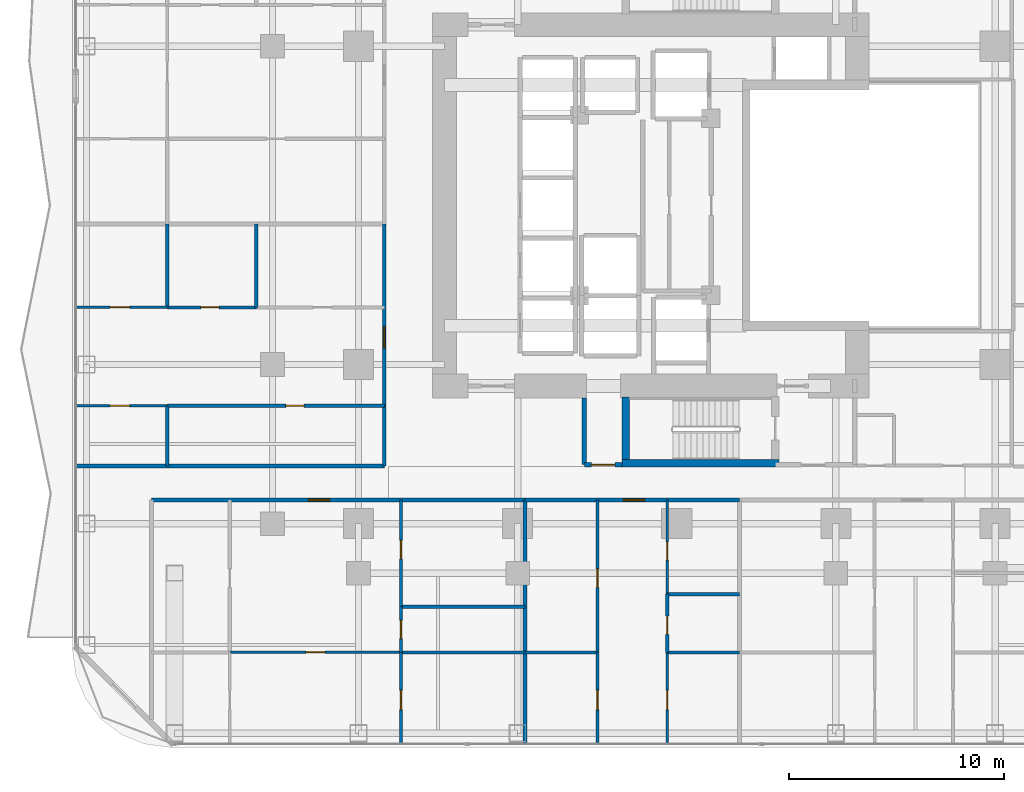
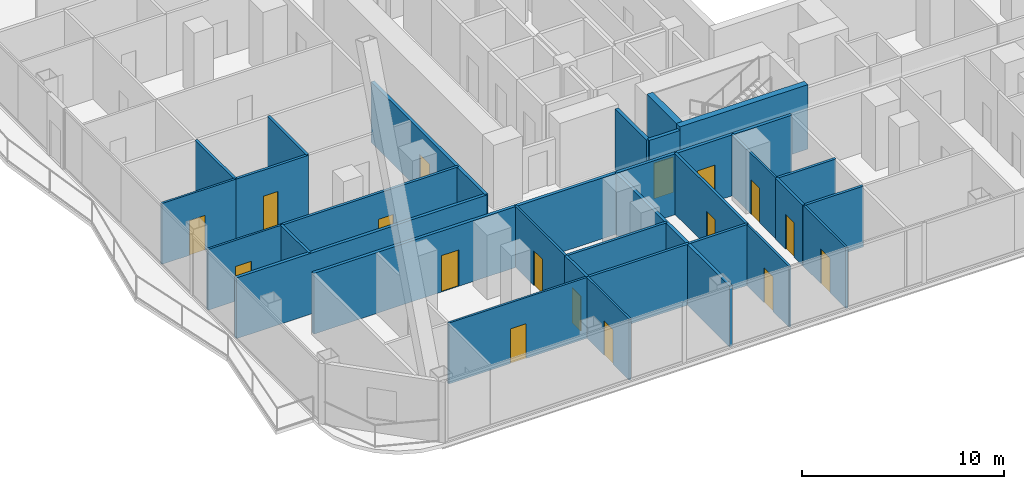
# One storey, part 23 of 33: 30 walls, 17 doors, 17 openings.
"""IFC4 building model written with IfcOpenShell, lengths in metres."""

from ifc_helpers import new_model, si_unit, direction, frame, frame_2d, origin, place, context, subcontext, project, spatial, rectangle, extrude, material, layer, layer_set, type_object, element, fill, save


model = new_model("IFC4")

# Units and contexts
model_context = context("Model", 3, precision=1e-05, world=origin(), true_north=direction((0.0, 1.0)))
body_context = subcontext(model_context, "Body", "Model", "MODEL_VIEW")
ifc_project = project(units=[si_unit("LENGTHUNIT", "METRE"), si_unit("AREAUNIT", "SQUARE_METRE"), si_unit("VOLUMEUNIT", "CUBIC_METRE"), si_unit("PLANEANGLEUNIT", "RADIAN"), si_unit("MASSUNIT", "GRAM", prefix="KILO")], contexts=[model_context])

# Site, building, storey
site_placement = place(None, origin())
site = spatial("IfcSite", under=ifc_project, at=site_placement, CompositionType="ELEMENT")
building_placement = place(site_placement, origin())
building = spatial("IfcBuilding", under=site, at=building_placement, Name="Khorvyn Point Tower", CompositionType="ELEMENT")
storey_placement = place(building_placement, frame((0.0, 0.0, 65.699951171875)))
storey = spatial("IfcBuildingStorey", under=building, at=storey_placement, Name="L17", CompositionType="ELEMENT", Elevation=65.699951171875)

# Wall, opening, door
ifc_material_1 = material(Name="Double acoustic gypsum on twin steel stud", Category="steel")
ifc_layer_1 = layer(ifc_material_1, 0.179931640625)
ifc_layer_set_1 = layer_set([ifc_layer_1], Name="Acoustic Double-Stud Apartment Demising Wall 180")
wall_type_1 = type_object("IfcWallType", Name="Acoustic Double-Stud Apartment Demising Wall 180", PredefinedType="PARTITIONING", material=ifc_layer_set_1)
wall_1_placement = place(storey_placement, frame((-24.419921875, -13.699951171875, 0.0), z_axis=(0.0, 0.0, 1.0), x_axis=(1.0, 0.0, 0.0)))
wall_1 = element("IfcWall", 1, at=wall_1_placement, inside=storey, type_object=wall_type_1, Name="Wall", PredefinedType="PARTITIONING", context=body_context, shape_type="SweptSolid", body=[
    extrude(rectangle(XDim=17.35888671875, YDim=0.179931640625, at=frame_2d((8.679443359375, 0.0))), origin(), (0.0, 0.0, 1.0), 3.679931640625),
])
opening_1_placement = place(wall_1_placement, frame((7.288330078125, 0.0, 0.0)))
opening_1 = element("IfcOpeningElement", 2, at=opening_1_placement, cuts=wall_1, Name="Opening ID-AP60", PredefinedType="OPENING", context=body_context, shape_type="SweptSolid", body=[
    extrude(rectangle(XDim=1.0, YDim=2.199951171875, at=frame_2d((0.5, 1.10009765625))), frame((0.0, 0.099853515625, 0.0), z_axis=(0.0, -1.0, 0.0), x_axis=(1.0, 0.0, 0.0)), (0.0, 0.0, 1.0), 0.199951171875),
])
ifc_material_2 = material(Name="Engineered hardwood fire-rated leaf", Category="wood")
door_type_1 = type_object("IfcDoorType", Name="Acoustic Solid-Core Timber Apartment Entrance Door 1000x2200", OperationType="NOTDEFINED", PredefinedType="DOOR", material=ifc_material_2)
door_1_placement = place(opening_1_placement, origin())
door_1 = element("IfcDoor", 3, at=door_1_placement, inside=storey, type_object=door_type_1, Name="Door", OperationType="SINGLE_SWING_LEFT", OverallHeight=2.199951171875, OverallWidth=1.0, PredefinedType="DOOR", context=body_context, shape_type="SweptSolid", body=[
    extrude(rectangle(XDim=1.0, YDim=2.199951171875, at=frame_2d((0.5, 1.10009765625))), frame((0.0, 0.02490234375, 0.0), z_axis=(0.0, -1.0, 0.0), x_axis=(1.0, 0.0, 0.0)), (0.0, 0.0, 1.0), 0.050048828125),
])
fill(opening_1, door_1)

wall_2_placement = place(storey_placement, frame((-7.06103515625, -13.699951171875, 0.0), z_axis=(0.0, 0.0, 1.0), x_axis=(1.0, 0.0, 0.0)))
wall_2 = element("IfcWall", 4, at=wall_2_placement, inside=storey, type_object=wall_type_1, Name="Wall", PredefinedType="PARTITIONING", context=body_context, shape_type="SweptSolid", body=[
    extrude(rectangle(XDim=9.97900390625, YDim=0.179931640625, at=frame_2d((4.989501953125, 0.0))), origin(), (0.0, 0.0, 1.0), 3.679931640625),
])
opening_2_placement = place(wall_2_placement, frame((4.577880859375, 0.0, 0.0)))
opening_2 = element("IfcOpeningElement", 5, at=opening_2_placement, cuts=wall_2, Name="Opening ID-AP60", PredefinedType="OPENING", context=body_context, shape_type="SweptSolid", body=[
    extrude(rectangle(XDim=1.0, YDim=2.199951171875, at=frame_2d((0.5, 1.10009765625))), frame((0.0, 0.099853515625, 0.0), z_axis=(0.0, -1.0, 0.0), x_axis=(1.0, 0.0, 0.0)), (0.0, 0.0, 1.0), 0.199951171875),
])
door_2_placement = place(opening_2_placement, origin())
door_2 = element("IfcDoor", 6, at=door_2_placement, inside=storey, type_object=door_type_1, Name="Door", OperationType="SINGLE_SWING_RIGHT", OverallHeight=2.199951171875, OverallWidth=1.0, PredefinedType="DOOR", context=body_context, shape_type="SweptSolid", body=[
    extrude(rectangle(XDim=1.0, YDim=2.199951171875, at=frame_2d((0.5, 1.10009765625))), frame((0.0, 0.02490234375, 0.0), z_axis=(0.0, -1.0, 0.0), x_axis=(1.0, 0.0, 0.0)), (0.0, 0.0, 1.0), 0.050048828125),
])
fill(opening_2, door_2)

wall_3_placement = place(storey_placement, frame((-13.60009765625, -12.1201171875, 0.0), z_axis=(0.0, 0.0, 1.0), x_axis=(0.0, 1.0, 0.0)))
wall_3 = element("IfcWall", 7, at=wall_3_placement, inside=storey, type_object=wall_type_1, Name="Wall", PredefinedType="PARTITIONING", context=body_context, shape_type="SweptSolid", body=[
    extrude(rectangle(XDim=11.2470703125, YDim=0.179931640625, at=frame_2d((5.62353515625, 0.0))), origin(), (0.0, 0.0, 1.0), 3.679931640625),
])
opening_3_placement = place(wall_3_placement, frame((5.47802734375, 0.0, 0.0)))
opening_3 = element("IfcOpeningElement", 8, at=opening_3_placement, cuts=wall_3, Name="Opening ID-AP60", PredefinedType="OPENING", context=body_context, shape_type="SweptSolid", body=[
    extrude(rectangle(XDim=1.0, YDim=2.199951171875, at=frame_2d((0.5, 1.10009765625))), frame((0.0, 0.099853515625, 0.0), z_axis=(0.0, -1.0, 0.0), x_axis=(1.0, 0.0, 0.0)), (0.0, 0.0, 1.0), 0.199951171875),
])
door_3_placement = place(opening_3_placement, origin())
door_3 = element("IfcDoor", 9, at=door_3_placement, inside=storey, type_object=door_type_1, Name="Door", OperationType="SINGLE_SWING_RIGHT", OverallHeight=2.199951171875, OverallWidth=1.0, PredefinedType="DOOR", context=body_context, shape_type="SweptSolid", body=[
    extrude(rectangle(XDim=1.0, YDim=2.199951171875, at=frame_2d((0.5, 1.10009765625))), frame((0.0, 0.02490234375, 0.0), z_axis=(0.0, -1.0, 0.0), x_axis=(1.0, 0.0, 0.0)), (0.0, 0.0, 1.0), 0.050048828125),
])
fill(opening_3, door_3)

# Walls
wall_4_placement = place(storey_placement, frame((-7.06103515625, -25.030029296875, 0.0), z_axis=(0.0, 0.0, 1.0), x_axis=(0.0, 1.0, 0.0)))
element("IfcWall", 10, at=wall_4_placement, inside=storey, type_object=wall_type_1, Name="Wall", PredefinedType="PARTITIONING", context=body_context, shape_type="SweptSolid", body=[
    extrude(rectangle(XDim=11.330078125, YDim=0.179931640625, at=frame_2d((5.6650390625, 0.0))), origin(), (0.0, 0.0, 1.0), 3.679931640625),
])
wall_5_placement = place(storey_placement, frame((-27.929931640625, -12.1201171875, 0.0), z_axis=(0.0, 0.0, 1.0), x_axis=(1.0, 0.0, 0.0)))
element("IfcWall", 11, at=wall_5_placement, inside=storey, type_object=wall_type_1, Name="Wall", PredefinedType="PARTITIONING", context=body_context, shape_type="SweptSolid", body=[
    extrude(rectangle(XDim=14.329833984375, YDim=0.179931640625, at=frame_2d((7.1650390625, 0.0))), origin(), (0.0, 0.0, 1.0), 3.679931640625),
])

# Wall, opening, door
ifc_material_3 = material(Name="Concrete C40/50", Category="concrete")
ifc_layer_2 = layer(ifc_material_3, 0.199951171875)
ifc_layer_set_2 = layer_set([ifc_layer_2], Name="Concrete C40/50 Fire-Lobby Compartment Wall 200")
wall_type_2 = type_object("IfcWallType", Name="Concrete C40/50 Fire-Lobby Compartment Wall 200", PredefinedType="SOLIDWALL", material=ifc_layer_set_2)
wall_6_placement = place(storey_placement, frame((-4.300048828125, -12.06005859375, 0.0), z_axis=(0.0, 0.0, 1.0), x_axis=(1.0, 0.0, 0.0)))
wall_6 = element("IfcWall", 12, at=wall_6_placement, inside=storey, type_object=wall_type_2, Name="Wall", PredefinedType="SOLIDWALL", context=body_context, shape_type="SweptSolid", body=[
    extrude(rectangle(XDim=1.75, YDim=0.199951171875, at=frame_2d((0.875, 0.0))), origin(), (0.0, 0.0, 1.0), 3.679931640625),
])
opening_4_placement = place(wall_6_placement, frame((0.324951171875, 0.0, 0.0)))
opening_4 = element("IfcOpeningElement", 13, at=opening_4_placement, cuts=wall_6, Name="Opening ID-FL90", PredefinedType="OPENING", context=body_context, shape_type="SweptSolid", body=[
    extrude(rectangle(XDim=1.10009765625, YDim=2.14990234375, at=frame_2d((0.550048828125, 1.074951171875))), frame((0.0, 0.10986328125, 0.0), z_axis=(0.0, -1.0, 0.0), x_axis=(1.0, 0.0, 0.0)), (0.0, 0.0, 1.0), 0.219970703125),
])
ifc_material_4 = material(Name="Galvanised powder-coated steel", Category="steel")
door_type_2 = type_object("IfcDoorType", Name="Fire-Rated Steel Lobby and Stair Door 1100x2150", OperationType="NOTDEFINED", PredefinedType="DOOR", material=ifc_material_4)
door_4_placement = place(opening_4_placement, origin())
door_4 = element("IfcDoor", 14, at=door_4_placement, inside=storey, type_object=door_type_2, Name="Door", OperationType="SINGLE_SWING_RIGHT", OverallHeight=2.14990234375, OverallWidth=1.10009765625, PredefinedType="DOOR", context=body_context, shape_type="SweptSolid", body=[
    extrude(rectangle(XDim=1.10009765625, YDim=2.14990234375, at=frame_2d((0.550048828125, 1.074951171875))), frame((0.0, 0.02490234375, 0.0), z_axis=(0.0, -1.0, 0.0), x_axis=(1.0, 0.0, 0.0)), (0.0, 0.0, 1.0), 0.050048828125),
])
fill(opening_4, door_4)

# Walls
wall_7_placement = place(storey_placement, frame((-4.300048828125, -12.06005859375, 0.0), z_axis=(0.0, 0.0, 1.0), x_axis=(0.0, 1.0, 0.0)))
element("IfcWall", 15, at=wall_7_placement, inside=storey, type_object=wall_type_2, Name="Wall", PredefinedType="SOLIDWALL", context=body_context, shape_type="SweptSolid", body=[
    extrude(rectangle(XDim=3.110107421875, YDim=0.199951171875, at=frame_2d((1.55517578125, 0.0))), origin(), (0.0, 0.0, 1.0), 3.679931640625),
])
ifc_layer_3 = layer(ifc_material_3, 0.35009765625)
ifc_layer_set_3 = layer_set([ifc_layer_3], Name="Concrete C40/50 Stair Shaft Structural Wall 350")
wall_type_3 = type_object("IfcWallType", Name="Concrete C40/50 Stair Shaft Structural Wall 350", PredefinedType="SHEAR", material=ifc_layer_set_3)
wall_8_placement = place(storey_placement, frame((-2.554931640625, -12.0, 0.0), z_axis=(0.0, 0.0, 1.0), x_axis=(1.0, 0.0, 0.0)))
element("IfcWall", 16, at=wall_8_placement, inside=storey, type_object=wall_type_3, Name="L17 ST-01 South Shaft Wall", PredefinedType="SHEAR", context=body_context, shape_type="SweptSolid", body=[
    extrude(rectangle(XDim=7.309814453125, YDim=0.35009765625, at=frame_2d((3.65478515625, 0.0))), origin(), (0.0, 0.0, 1.0), 3.900146484375),
])
wall_9_placement = place(storey_placement, frame((-2.3798828125, -11.824951171875, 0.0), z_axis=(0.0, 0.0, 1.0), x_axis=(0.0, 1.0, 0.0)))
element("IfcWall", 17, at=wall_9_placement, inside=storey, type_object=wall_type_3, Name="L17 ST-01 West Shaft Wall", PredefinedType="SHEAR", context=body_context, shape_type="SweptSolid", body=[
    extrude(rectangle(XDim=2.925048828125, YDim=0.35009765625, at=frame_2d((1.46240234375, 0.0))), origin(), (0.0, 0.0, 1.0), 3.900146484375),
])

# Wall, opening, door
ifc_material_5 = material(Name="Gypsum plasterboard on steel stud", Category="steel")
ifc_layer_4 = layer(ifc_material_5, 0.1201171875)
ifc_layer_set_4 = layer_set([ifc_layer_4], Name="Gypsum Acoustic Stud Room Partition Wall 120")
wall_type_4 = type_object("IfcWallType", Name="Gypsum Acoustic Stud Room Partition Wall 120", PredefinedType="PARTITIONING", material=ifc_layer_set_4)
wall_10_placement = place(storey_placement, frame((-20.782958984375, -20.7900390625, 0.0), z_axis=(0.0, 0.0, 1.0), x_axis=(1.0, 0.0, 0.0)))
wall_10 = element("IfcWall", 18, at=wall_10_placement, inside=storey, type_object=wall_type_4, Name="Wall", PredefinedType="PARTITIONING", context=body_context, shape_type="SweptSolid", body=[
    extrude(rectangle(XDim=7.958984375, YDim=0.1201171875, at=frame_2d((3.9794921875, 0.0))), origin(), (0.0, 0.0, 1.0), 3.679931640625),
])
opening_5_placement = place(wall_10_placement, frame((3.529541015625, 0.0, 0.0)))
opening_5 = element("IfcOpeningElement", 19, at=opening_5_placement, cuts=wall_10, Name="Opening ID-RM90", PredefinedType="OPENING", context=body_context, shape_type="SweptSolid", body=[
    extrude(rectangle(XDim=0.89990234375, YDim=2.10009765625, at=frame_2d((0.449951171875, 1.050048828125))), frame((0.0, 0.070068359375, 0.0), z_axis=(0.0, -1.0, 0.0), x_axis=(1.0, 0.0, 0.0)), (0.0, 0.0, 1.0), 0.14013671875),
])
ifc_material_6 = material(Name="Engineered oak veneer timber", Category="wood")
door_type_3 = type_object("IfcDoorType", Name="Flush Engineered Timber Room Door 900x2100", OperationType="NOTDEFINED", PredefinedType="DOOR", material=ifc_material_6)
door_5_placement = place(opening_5_placement, origin())
door_5 = element("IfcDoor", 20, at=door_5_placement, inside=storey, type_object=door_type_3, Name="Door", OperationType="SINGLE_SWING_RIGHT", OverallHeight=2.10009765625, OverallWidth=0.89990234375, PredefinedType="DOOR", context=body_context, shape_type="SweptSolid", body=[
    extrude(rectangle(XDim=0.89990234375, YDim=2.10009765625, at=frame_2d((0.449951171875, 1.050048828125))), frame((0.0, 0.02490234375, 0.0), z_axis=(0.0, -1.0, 0.0), x_axis=(1.0, 0.0, 0.0)), (0.0, 0.0, 1.0), 0.050048828125),
])
fill(opening_5, door_5)

wall_11_placement = place(storey_placement, frame((-12.823974609375, -18.6630859375, 0.0), z_axis=(0.0, 0.0, 1.0), x_axis=(0.0, 1.0, 0.0)))
wall_11 = element("IfcWall", 21, at=wall_11_placement, inside=storey, type_object=wall_type_4, Name="Wall", PredefinedType="PARTITIONING", context=body_context, shape_type="SweptSolid", body=[
    extrude(rectangle(XDim=4.963134765625, YDim=0.1201171875, at=frame_2d((2.4814453125, 0.0))), origin(), (0.0, 0.0, 1.0), 3.679931640625),
])
opening_6_placement = place(wall_11_placement, frame((2.22900390625, 0.0, 0.0)))
opening_6 = element("IfcOpeningElement", 22, at=opening_6_placement, cuts=wall_11, Name="Opening ID-WC85", PredefinedType="OPENING", context=body_context, shape_type="SweptSolid", body=[
    extrude(rectangle(XDim=0.85009765625, YDim=2.10009765625, at=frame_2d((0.425048828125, 1.050048828125))), frame((0.0, 0.070068359375, 0.0), z_axis=(0.0, -1.0, 0.0), x_axis=(1.0, 0.0, 0.0)), (0.0, 0.0, 1.0), 0.14013671875),
])
ifc_material_7 = material(Name="High-pressure laminate on moisture-resistant core", Category="wood")
door_type_4 = type_object("IfcDoorType", Name="Moisture-Resistant Accessible Washroom Door 850x2100", OperationType="NOTDEFINED", PredefinedType="DOOR", material=ifc_material_7)
door_6_placement = place(opening_6_placement, origin())
door_6 = element("IfcDoor", 23, at=door_6_placement, inside=storey, type_object=door_type_4, Name="Door", OperationType="SINGLE_SWING_RIGHT", OverallHeight=2.10009765625, OverallWidth=0.85009765625, PredefinedType="DOOR", context=body_context, shape_type="SweptSolid", body=[
    extrude(rectangle(XDim=0.85009765625, YDim=2.10009765625, at=frame_2d((0.425048828125, 1.050048828125))), frame((0.0, 0.02490234375, 0.0), z_axis=(0.0, -1.0, 0.0), x_axis=(1.0, 0.0, 0.0)), (0.0, 0.0, 1.0), 0.050048828125),
])
fill(opening_6, door_6)

wall_12_placement = place(storey_placement, frame((-12.823974609375, -25.030029296875, 0.0), z_axis=(0.0, 0.0, 1.0), x_axis=(0.0, 1.0, 0.0)))
wall_12 = element("IfcWall", 24, at=wall_12_placement, inside=storey, type_object=wall_type_4, Name="Wall", PredefinedType="PARTITIONING", context=body_context, shape_type="SweptSolid", body=[
    extrude(rectangle(XDim=4.239990234375, YDim=0.1201171875, at=frame_2d((2.1201171875, 0.0))), origin(), (0.0, 0.0, 1.0), 3.679931640625),
])
opening_7_placement = place(wall_12_placement, frame((1.581298828125, 0.0, 0.0)))
opening_7 = element("IfcOpeningElement", 25, at=opening_7_placement, cuts=wall_12, Name="Opening ID-RM90", PredefinedType="OPENING", context=body_context, shape_type="SweptSolid", body=[
    extrude(rectangle(XDim=0.89990234375, YDim=2.10009765625, at=frame_2d((0.449951171875, 1.050048828125))), frame((0.0, 0.070068359375, 0.0), z_axis=(0.0, -1.0, 0.0), x_axis=(1.0, 0.0, 0.0)), (0.0, 0.0, 1.0), 0.14013671875),
])
door_7_placement = place(opening_7_placement, origin())
door_7 = element("IfcDoor", 26, at=door_7_placement, inside=storey, type_object=door_type_3, Name="Door", OperationType="SINGLE_SWING_LEFT", OverallHeight=2.10009765625, OverallWidth=0.89990234375, PredefinedType="DOOR", context=body_context, shape_type="SweptSolid", body=[
    extrude(rectangle(XDim=0.89990234375, YDim=2.10009765625, at=frame_2d((0.449951171875, 1.050048828125))), frame((0.0, 0.02490234375, 0.0), z_axis=(0.0, -1.0, 0.0), x_axis=(1.0, 0.0, 0.0)), (0.0, 0.0, 1.0), 0.050048828125),
])
fill(opening_7, door_7)

wall_13_placement = place(storey_placement, frame((-3.68798828125, -25.030029296875, 0.0), z_axis=(0.0, 0.0, 1.0), x_axis=(0.0, 1.0, 0.0)))
wall_13 = element("IfcWall", 27, at=wall_13_placement, inside=storey, type_object=wall_type_4, Name="Wall", PredefinedType="PARTITIONING", context=body_context, shape_type="SweptSolid", body=[
    extrude(rectangle(XDim=4.239990234375, YDim=0.1201171875, at=frame_2d((2.1201171875, 0.0))), origin(), (0.0, 0.0, 1.0), 3.679931640625),
])
opening_8_placement = place(wall_13_placement, frame((1.581298828125, 0.0, 0.0)))
opening_8 = element("IfcOpeningElement", 28, at=opening_8_placement, cuts=wall_13, Name="Opening ID-RM90", PredefinedType="OPENING", context=body_context, shape_type="SweptSolid", body=[
    extrude(rectangle(XDim=0.89990234375, YDim=2.10009765625, at=frame_2d((0.449951171875, 1.050048828125))), frame((0.0, 0.070068359375, 0.0), z_axis=(0.0, -1.0, 0.0), x_axis=(1.0, 0.0, 0.0)), (0.0, 0.0, 1.0), 0.14013671875),
])
door_8_placement = place(opening_8_placement, origin())
door_8 = element("IfcDoor", 29, at=door_8_placement, inside=storey, type_object=door_type_3, Name="Door", OperationType="SINGLE_SWING_RIGHT", OverallHeight=2.10009765625, OverallWidth=0.89990234375, PredefinedType="DOOR", context=body_context, shape_type="SweptSolid", body=[
    extrude(rectangle(XDim=0.89990234375, YDim=2.10009765625, at=frame_2d((0.449951171875, 1.050048828125))), frame((0.0, 0.02490234375, 0.0), z_axis=(0.0, -1.0, 0.0), x_axis=(1.0, 0.0, 0.0)), (0.0, 0.0, 1.0), 0.050048828125),
])
fill(opening_8, door_8)

wall_14_placement = place(storey_placement, frame((-0.43798828125, -18.08203125, 0.0), z_axis=(0.0, 0.0, 1.0), x_axis=(0.0, 1.0, 0.0)))
wall_14 = element("IfcWall", 30, at=wall_14_placement, inside=storey, type_object=wall_type_4, Name="Wall", PredefinedType="PARTITIONING", context=body_context, shape_type="SweptSolid", body=[
    extrude(rectangle(XDim=4.382080078125, YDim=0.1201171875, at=frame_2d((2.19091796875, 0.0))), origin(), (0.0, 0.0, 1.0), 3.679931640625),
])
opening_9_placement = place(wall_14_placement, frame((1.587646484375, 0.0, 0.0)))
opening_9 = element("IfcOpeningElement", 31, at=opening_9_placement, cuts=wall_14, Name="Opening ID-WC85", PredefinedType="OPENING", context=body_context, shape_type="SweptSolid", body=[
    extrude(rectangle(XDim=0.85009765625, YDim=2.10009765625, at=frame_2d((0.425048828125, 1.050048828125))), frame((0.0, 0.070068359375, 0.0), z_axis=(0.0, -1.0, 0.0), x_axis=(1.0, 0.0, 0.0)), (0.0, 0.0, 1.0), 0.14013671875),
])
door_9_placement = place(opening_9_placement, origin())
door_9 = element("IfcDoor", 32, at=door_9_placement, inside=storey, type_object=door_type_4, Name="Door", OperationType="SINGLE_SWING_RIGHT", OverallHeight=2.10009765625, OverallWidth=0.85009765625, PredefinedType="DOOR", context=body_context, shape_type="SweptSolid", body=[
    extrude(rectangle(XDim=0.85009765625, YDim=2.10009765625, at=frame_2d((0.425048828125, 1.050048828125))), frame((0.0, 0.02490234375, 0.0), z_axis=(0.0, -1.0, 0.0), x_axis=(1.0, 0.0, 0.0)), (0.0, 0.0, 1.0), 0.050048828125),
])
fill(opening_9, door_9)

wall_15_placement = place(storey_placement, frame((-0.43798828125, -25.030029296875, 0.0), z_axis=(0.0, 0.0, 1.0), x_axis=(0.0, 1.0, 0.0)))
wall_15 = element("IfcWall", 33, at=wall_15_placement, inside=storey, type_object=wall_type_4, Name="Wall", PredefinedType="PARTITIONING", context=body_context, shape_type="SweptSolid", body=[
    extrude(rectangle(XDim=4.239990234375, YDim=0.1201171875, at=frame_2d((2.1201171875, 0.0))), origin(), (0.0, 0.0, 1.0), 3.679931640625),
])
opening_10_placement = place(wall_15_placement, frame((1.581298828125, 0.0, 0.0)))
opening_10 = element("IfcOpeningElement", 34, at=opening_10_placement, cuts=wall_15, Name="Opening ID-RM90", PredefinedType="OPENING", context=body_context, shape_type="SweptSolid", body=[
    extrude(rectangle(XDim=0.89990234375, YDim=2.10009765625, at=frame_2d((0.449951171875, 1.050048828125))), frame((0.0, 0.070068359375, 0.0), z_axis=(0.0, -1.0, 0.0), x_axis=(1.0, 0.0, 0.0)), (0.0, 0.0, 1.0), 0.14013671875),
])
door_10_placement = place(opening_10_placement, origin())
door_10 = element("IfcDoor", 35, at=door_10_placement, inside=storey, type_object=door_type_3, Name="Door", OperationType="SINGLE_SWING_LEFT", OverallHeight=2.10009765625, OverallWidth=0.89990234375, PredefinedType="DOOR", context=body_context, shape_type="SweptSolid", body=[
    extrude(rectangle(XDim=0.89990234375, YDim=2.10009765625, at=frame_2d((0.449951171875, 1.050048828125))), frame((0.0, 0.02490234375, 0.0), z_axis=(0.0, -1.0, 0.0), x_axis=(1.0, 0.0, 0.0)), (0.0, 0.0, 1.0), 0.050048828125),
])
fill(opening_10, door_10)

wall_16_placement = place(storey_placement, frame((-27.929931640625, -9.320068359375, 0.0), z_axis=(0.0, 0.0, 1.0), x_axis=(1.0, 0.0, 0.0)))
wall_16 = element("IfcWall", 36, at=wall_16_placement, inside=storey, type_object=wall_type_4, Name="Wall", PredefinedType="PARTITIONING", context=body_context, shape_type="SweptSolid", body=[
    extrude(rectangle(XDim=4.239990234375, YDim=0.1201171875, at=frame_2d((2.1201171875, 0.0))), origin(), (0.0, 0.0, 1.0), 3.679931640625),
])
opening_11_placement = place(wall_16_placement, frame((1.581298828125, 0.0, 0.0)))
opening_11 = element("IfcOpeningElement", 37, at=opening_11_placement, cuts=wall_16, Name="Opening ID-RM90", PredefinedType="OPENING", context=body_context, shape_type="SweptSolid", body=[
    extrude(rectangle(XDim=0.89990234375, YDim=2.10009765625, at=frame_2d((0.449951171875, 1.050048828125))), frame((0.0, 0.070068359375, 0.0), z_axis=(0.0, -1.0, 0.0), x_axis=(1.0, 0.0, 0.0)), (0.0, 0.0, 1.0), 0.14013671875),
])
door_11_placement = place(opening_11_placement, origin())
door_11 = element("IfcDoor", 38, at=door_11_placement, inside=storey, type_object=door_type_3, Name="Door", OperationType="SINGLE_SWING_RIGHT", OverallHeight=2.10009765625, OverallWidth=0.89990234375, PredefinedType="DOOR", context=body_context, shape_type="SweptSolid", body=[
    extrude(rectangle(XDim=0.89990234375, YDim=2.10009765625, at=frame_2d((0.449951171875, 1.050048828125))), frame((0.0, 0.02490234375, 0.0), z_axis=(0.0, -1.0, 0.0), x_axis=(1.0, 0.0, 0.0)), (0.0, 0.0, 1.0), 0.050048828125),
])
fill(opening_11, door_11)

wall_17_placement = place(storey_placement, frame((-27.929931640625, -4.7470703125, 0.0), z_axis=(0.0, 0.0, 1.0), x_axis=(1.0, 0.0, 0.0)))
wall_17 = element("IfcWall", 39, at=wall_17_placement, inside=storey, type_object=wall_type_4, Name="Wall", PredefinedType="PARTITIONING", context=body_context, shape_type="SweptSolid", body=[
    extrude(rectangle(XDim=4.239990234375, YDim=0.1201171875, at=frame_2d((2.1201171875, 0.0))), origin(), (0.0, 0.0, 1.0), 3.679931640625),
])
opening_12_placement = place(wall_17_placement, frame((1.581298828125, 0.0, 0.0)))
opening_12 = element("IfcOpeningElement", 40, at=opening_12_placement, cuts=wall_17, Name="Opening ID-RM90", PredefinedType="OPENING", context=body_context, shape_type="SweptSolid", body=[
    extrude(rectangle(XDim=0.89990234375, YDim=2.10009765625, at=frame_2d((0.449951171875, 1.050048828125))), frame((0.0, 0.070068359375, 0.0), z_axis=(0.0, -1.0, 0.0), x_axis=(1.0, 0.0, 0.0)), (0.0, 0.0, 1.0), 0.14013671875),
])
door_12_placement = place(opening_12_placement, origin())
door_12 = element("IfcDoor", 41, at=door_12_placement, inside=storey, type_object=door_type_3, Name="Door", OperationType="SINGLE_SWING_LEFT", OverallHeight=2.10009765625, OverallWidth=0.89990234375, PredefinedType="DOOR", context=body_context, shape_type="SweptSolid", body=[
    extrude(rectangle(XDim=0.89990234375, YDim=2.10009765625, at=frame_2d((0.449951171875, 1.050048828125))), frame((0.0, 0.02490234375, 0.0), z_axis=(0.0, -1.0, 0.0), x_axis=(1.0, 0.0, 0.0)), (0.0, 0.0, 1.0), 0.050048828125),
])
fill(opening_12, door_12)

ifc_material_8 = material(Name="Moisture-resistant gypsum and cement board", Category="gypsum")
ifc_layer_5 = layer(ifc_material_8, 0.14990234375)
ifc_layer_set_5 = layer_set([ifc_layer_5], Name="Moisture-Resistant Wet-Room Partition Wall 150")
wall_type_5 = type_object("IfcWallType", Name="Moisture-Resistant Wet-Room Partition Wall 150", PredefinedType="PARTITIONING", material=ifc_layer_set_5)
wall_18_placement = place(storey_placement, frame((-12.823974609375, -20.7900390625, 0.0), z_axis=(0.0, 0.0, 1.0), x_axis=(0.0, 1.0, 0.0)))
wall_18 = element("IfcWall", 42, at=wall_18_placement, inside=storey, type_object=wall_type_5, Name="Wall", PredefinedType="PARTITIONING", context=body_context, shape_type="SweptSolid", body=[
    extrude(rectangle(XDim=2.126953125, YDim=0.14990234375, at=frame_2d((1.0634765625, 0.0))), origin(), (0.0, 0.0, 1.0), 3.679931640625),
])
opening_13_placement = place(wall_18_placement, frame((0.638427734375, 0.0, 0.0)))
opening_13 = element("IfcOpeningElement", 43, at=opening_13_placement, cuts=wall_18, Name="Opening ID-WC85", PredefinedType="OPENING", context=body_context, shape_type="SweptSolid", body=[
    extrude(rectangle(XDim=0.85009765625, YDim=2.10009765625, at=frame_2d((0.425048828125, 1.050048828125))), frame((0.0, 0.0849609375, 0.0), z_axis=(0.0, -1.0, 0.0), x_axis=(1.0, 0.0, 0.0)), (0.0, 0.0, 1.0), 0.169921875),
])
door_13_placement = place(opening_13_placement, origin())
door_13 = element("IfcDoor", 44, at=door_13_placement, inside=storey, type_object=door_type_4, Name="Door", OperationType="SINGLE_SWING_LEFT", OverallHeight=2.10009765625, OverallWidth=0.85009765625, PredefinedType="DOOR", context=body_context, shape_type="SweptSolid", body=[
    extrude(rectangle(XDim=0.85009765625, YDim=2.10009765625, at=frame_2d((0.425048828125, 1.050048828125))), frame((0.0, 0.02490234375, 0.0), z_axis=(0.0, -1.0, 0.0), x_axis=(1.0, 0.0, 0.0)), (0.0, 0.0, 1.0), 0.050048828125),
])
fill(opening_13, door_13)

wall_19_placement = place(storey_placement, frame((-3.68798828125, -20.7900390625, 0.0), z_axis=(0.0, 0.0, 1.0), x_axis=(0.0, 1.0, 0.0)))
wall_19 = element("IfcWall", 45, at=wall_19_placement, inside=storey, type_object=wall_type_5, Name="Wall", PredefinedType="PARTITIONING", context=body_context, shape_type="SweptSolid", body=[
    extrude(rectangle(XDim=7.090087890625, YDim=0.14990234375, at=frame_2d((3.544921875, 0.0))), origin(), (0.0, 0.0, 1.0), 3.679931640625),
])
opening_14_placement = place(wall_19_placement, frame((3.0302734375, 0.0, 0.0)))
opening_14 = element("IfcOpeningElement", 46, at=opening_14_placement, cuts=wall_19, Name="Opening ID-WC85", PredefinedType="OPENING", context=body_context, shape_type="SweptSolid", body=[
    extrude(rectangle(XDim=0.85009765625, YDim=2.10009765625, at=frame_2d((0.425048828125, 1.050048828125))), frame((0.0, 0.0849609375, 0.0), z_axis=(0.0, -1.0, 0.0), x_axis=(1.0, 0.0, 0.0)), (0.0, 0.0, 1.0), 0.169921875),
])
door_14_placement = place(opening_14_placement, origin())
door_14 = element("IfcDoor", 47, at=door_14_placement, inside=storey, type_object=door_type_4, Name="Door", OperationType="SINGLE_SWING_LEFT", OverallHeight=2.10009765625, OverallWidth=0.85009765625, PredefinedType="DOOR", context=body_context, shape_type="SweptSolid", body=[
    extrude(rectangle(XDim=0.85009765625, YDim=2.10009765625, at=frame_2d((0.425048828125, 1.050048828125))), frame((0.0, 0.02490234375, 0.0), z_axis=(0.0, -1.0, 0.0), x_axis=(1.0, 0.0, 0.0)), (0.0, 0.0, 1.0), 0.050048828125),
])
fill(opening_14, door_14)

wall_20_placement = place(storey_placement, frame((-0.43798828125, -20.7900390625, 0.0), z_axis=(0.0, 0.0, 1.0), x_axis=(0.0, 1.0, 0.0)))
wall_20 = element("IfcWall", 48, at=wall_20_placement, inside=storey, type_object=wall_type_5, Name="Wall", PredefinedType="PARTITIONING", context=body_context, shape_type="SweptSolid", body=[
    extrude(rectangle(XDim=2.7080078125, YDim=0.14990234375, at=frame_2d((1.35400390625, 0.0))), origin(), (0.0, 0.0, 1.0), 3.679931640625),
])
opening_15_placement = place(wall_20_placement, frame((0.843505859375, 0.0, 0.0)))
opening_15 = element("IfcOpeningElement", 49, at=opening_15_placement, cuts=wall_20, Name="Opening ID-WC85", PredefinedType="OPENING", context=body_context, shape_type="SweptSolid", body=[
    extrude(rectangle(XDim=0.85009765625, YDim=2.10009765625, at=frame_2d((0.425048828125, 1.050048828125))), frame((0.0, 0.0849609375, 0.0), z_axis=(0.0, -1.0, 0.0), x_axis=(1.0, 0.0, 0.0)), (0.0, 0.0, 1.0), 0.169921875),
])
door_15_placement = place(opening_15_placement, origin())
door_15 = element("IfcDoor", 50, at=door_15_placement, inside=storey, type_object=door_type_4, Name="Door", OperationType="SINGLE_SWING_LEFT", OverallHeight=2.10009765625, OverallWidth=0.85009765625, PredefinedType="DOOR", context=body_context, shape_type="SweptSolid", body=[
    extrude(rectangle(XDim=0.85009765625, YDim=2.10009765625, at=frame_2d((0.425048828125, 1.050048828125))), frame((0.0, 0.02490234375, 0.0), z_axis=(0.0, -1.0, 0.0), x_axis=(1.0, 0.0, 0.0)), (0.0, 0.0, 1.0), 0.050048828125),
])
fill(opening_15, door_15)

wall_21_placement = place(storey_placement, frame((-23.68994140625, -4.7470703125, 0.0), z_axis=(0.0, 0.0, 1.0), x_axis=(1.0, 0.0, 0.0)))
wall_21 = element("IfcWall", 51, at=wall_21_placement, inside=storey, type_object=wall_type_5, Name="Wall", PredefinedType="PARTITIONING", context=body_context, shape_type="SweptSolid", body=[
    extrude(rectangle(XDim=4.136962890625, YDim=0.14990234375, at=frame_2d((2.068359375, 0.0))), origin(), (0.0, 0.0, 1.0), 3.679931640625),
])
opening_16_placement = place(wall_21_placement, frame((1.55615234375, 0.0, 0.0)))
opening_16 = element("IfcOpeningElement", 52, at=opening_16_placement, cuts=wall_21, Name="Opening ID-WC85", PredefinedType="OPENING", context=body_context, shape_type="SweptSolid", body=[
    extrude(rectangle(XDim=0.85009765625, YDim=2.10009765625, at=frame_2d((0.425048828125, 1.050048828125))), frame((0.0, 0.0849609375, 0.0), z_axis=(0.0, -1.0, 0.0), x_axis=(1.0, 0.0, 0.0)), (0.0, 0.0, 1.0), 0.169921875),
])
door_16_placement = place(opening_16_placement, origin())
door_16 = element("IfcDoor", 53, at=door_16_placement, inside=storey, type_object=door_type_4, Name="Door", OperationType="SINGLE_SWING_LEFT", OverallHeight=2.10009765625, OverallWidth=0.85009765625, PredefinedType="DOOR", context=body_context, shape_type="SweptSolid", body=[
    extrude(rectangle(XDim=0.85009765625, YDim=2.10009765625, at=frame_2d((0.425048828125, 1.050048828125))), frame((0.0, 0.02490234375, 0.0), z_axis=(0.0, -1.0, 0.0), x_axis=(1.0, 0.0, 0.0)), (0.0, 0.0, 1.0), 0.050048828125),
])
fill(opening_16, door_16)

wall_22_placement = place(storey_placement, frame((-23.68994140625, -9.320068359375, 0.0), z_axis=(0.0, 0.0, 1.0), x_axis=(1.0, 0.0, 0.0)))
wall_22 = element("IfcWall", 54, at=wall_22_placement, inside=storey, type_object=wall_type_5, Name="Wall", PredefinedType="PARTITIONING", context=body_context, shape_type="SweptSolid", body=[
    extrude(rectangle(XDim=10.08984375, YDim=0.14990234375, at=frame_2d((5.044921875, 0.0))), origin(), (0.0, 0.0, 1.0), 3.679931640625),
])
opening_17_placement = place(wall_22_placement, frame((5.511962890625, 0.0, 0.0)))
opening_17 = element("IfcOpeningElement", 55, at=opening_17_placement, cuts=wall_22, Name="Opening ID-WC85", PredefinedType="OPENING", context=body_context, shape_type="SweptSolid", body=[
    extrude(rectangle(XDim=0.85009765625, YDim=2.10009765625, at=frame_2d((0.425048828125, 1.050048828125))), frame((0.0, 0.0849609375, 0.0), z_axis=(0.0, -1.0, 0.0), x_axis=(1.0, 0.0, 0.0)), (0.0, 0.0, 1.0), 0.169921875),
])
door_17_placement = place(opening_17_placement, origin())
door_17 = element("IfcDoor", 56, at=door_17_placement, inside=storey, type_object=door_type_4, Name="Door", OperationType="SINGLE_SWING_LEFT", OverallHeight=2.10009765625, OverallWidth=0.85009765625, PredefinedType="DOOR", context=body_context, shape_type="SweptSolid", body=[
    extrude(rectangle(XDim=0.85009765625, YDim=2.10009765625, at=frame_2d((0.425048828125, 1.050048828125))), frame((0.0, 0.02490234375, 0.0), z_axis=(0.0, -1.0, 0.0), x_axis=(1.0, 0.0, 0.0)), (0.0, 0.0, 1.0), 0.050048828125),
])
fill(opening_17, door_17)

# Walls
for number, where, z_axis, x_axis, name in (
    (57, (-12.823974609375, -18.6630859375, 0.0), (0.0, 0.0, 1.0), (1.0, 0.0, 0.0), "Wall"),
    (58, (-12.823974609375, -20.7900390625, 0.0), (0.0, 0.0, 1.0), (1.0, 0.0, 0.0), "Wall"),
):
    element("IfcWall", number, at=place(storey_placement, frame(where, z_axis=z_axis, x_axis=x_axis)), inside=storey, type_object=wall_type_5, Name=name, PredefinedType="PARTITIONING", context=body_context, shape_type="SweptSolid", body=[
        extrude(rectangle(XDim=5.762939453125, YDim=0.14990234375, at=frame_2d((2.88134765625, 0.0))), origin(), (0.0, 0.0, 1.0), 3.679931640625),
    ])
wall_23_placement = place(storey_placement, frame((-7.06103515625, -20.7900390625, 0.0), z_axis=(0.0, 0.0, 1.0), x_axis=(1.0, 0.0, 0.0)))
element("IfcWall", 59, at=wall_23_placement, inside=storey, type_object=wall_type_5, Name="Wall", PredefinedType="PARTITIONING", context=body_context, shape_type="SweptSolid", body=[
    extrude(rectangle(XDim=3.373046875, YDim=0.14990234375, at=frame_2d((1.6865234375, 0.0))), origin(), (0.0, 0.0, 1.0), 3.679931640625),
])
for number, where, z_axis, x_axis, name in (
    (60, (-0.43798828125, -18.08203125, 0.0), (0.0, 0.0, 1.0), (1.0, 0.0, 0.0), "Wall"),
    (61, (-0.43798828125, -20.7900390625, 0.0), (0.0, 0.0, 1.0), (1.0, 0.0, 0.0), "Wall"),
):
    element("IfcWall", number, at=place(storey_placement, frame(where, z_axis=z_axis, x_axis=x_axis)), inside=storey, type_object=wall_type_5, Name=name, PredefinedType="PARTITIONING", context=body_context, shape_type="SweptSolid", body=[
        extrude(rectangle(XDim=3.35595703125, YDim=0.14990234375, at=frame_2d((1.677978515625, 0.0))), origin(), (0.0, 0.0, 1.0), 3.679931640625),
    ])
wall_24_placement = place(storey_placement, frame((-19.552978515625, -4.7470703125, 0.0), z_axis=(0.0, 0.0, 1.0), x_axis=(0.0, 1.0, 0.0)))
element("IfcWall", 62, at=wall_24_placement, inside=storey, type_object=wall_type_5, Name="Wall", PredefinedType="PARTITIONING", context=body_context, shape_type="SweptSolid", body=[
    extrude(rectangle(XDim=3.8740234375, YDim=0.14990234375, at=frame_2d((1.93701171875, 0.0))), origin(), (0.0, 0.0, 1.0), 3.679931640625),
])
wall_25_placement = place(storey_placement, frame((-23.68994140625, -12.1201171875, 0.0), z_axis=(0.0, 0.0, 1.0), x_axis=(0.0, 1.0, 0.0)))
element("IfcWall", 63, at=wall_25_placement, inside=storey, type_object=wall_type_5, Name="Wall", PredefinedType="PARTITIONING", context=body_context, shape_type="SweptSolid", body=[
    extrude(rectangle(XDim=2.800048828125, YDim=0.14990234375, at=frame_2d((1.39990234375, 0.0))), origin(), (0.0, 0.0, 1.0), 3.679931640625),
])
wall_26_placement = place(storey_placement, frame((-23.68994140625, -4.7470703125, 0.0), z_axis=(0.0, 0.0, 1.0), x_axis=(0.0, 1.0, 0.0)))
element("IfcWall", 64, at=wall_26_placement, inside=storey, type_object=wall_type_5, Name="Wall", PredefinedType="PARTITIONING", context=body_context, shape_type="SweptSolid", body=[
    extrude(rectangle(XDim=3.8740234375, YDim=0.14990234375, at=frame_2d((1.93701171875, 0.0))), origin(), (0.0, 0.0, 1.0), 3.679931640625),
])

save(model, "model.ifc")
